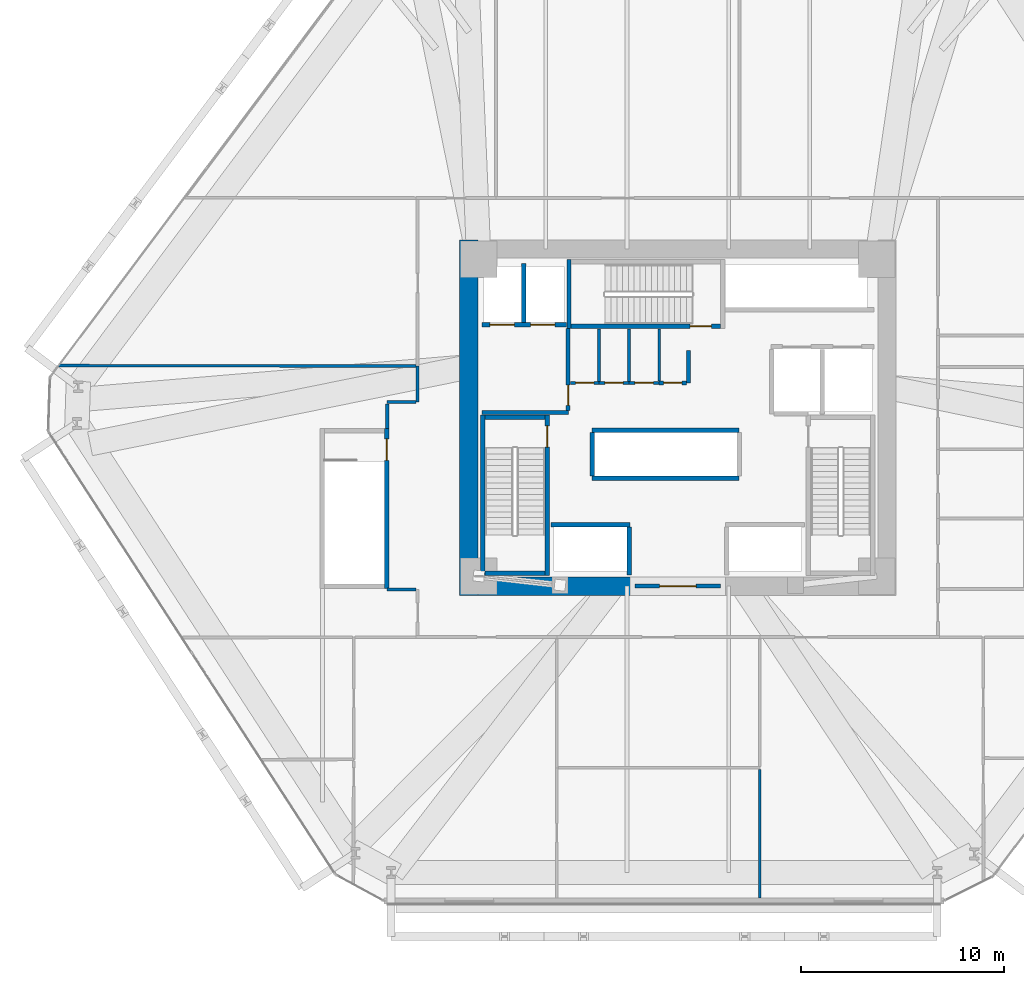
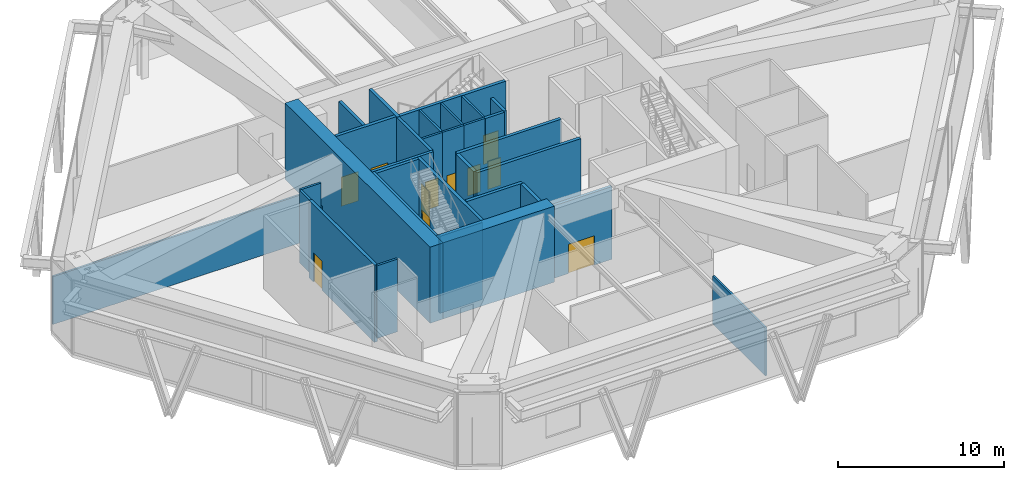
# One storey, part 14 of 19: 33 walls, 11 doors, 11 openings.
"""IFC4 building model written with IfcOpenShell, lengths in metres."""

from ifc_helpers import new_model, si_unit, direction, frame, frame_2d, origin, place, context, subcontext, project, spatial, rectangle, extrude, source, transform, mapped, material, layer, layer_set, type_object, type_shapes, element, fill, save


model = new_model("IFC4")

# Units and contexts
model_context = context("Model", 3, precision=1e-05, world=origin(), true_north=direction((0.0, 1.0)))
body_context = subcontext(model_context, "Body", "Model", "MODEL_VIEW")
ifc_project = project(units=[si_unit("LENGTHUNIT", "METRE"), si_unit("AREAUNIT", "SQUARE_METRE"), si_unit("VOLUMEUNIT", "CUBIC_METRE"), si_unit("PLANEANGLEUNIT", "RADIAN"), si_unit("MASSUNIT", "GRAM", prefix="KILO")], contexts=[model_context])

# Site, building, storey
site_placement = place(None, origin())
site = spatial("IfcSite", under=ifc_project, at=site_placement, CompositionType="ELEMENT")
building_placement = place(site_placement, origin())
building = spatial("IfcBuilding", under=site, at=building_placement, Name="Durnholm Broadcast Tower", CompositionType="ELEMENT")
storey_placement = place(building_placement, frame((0.0, 0.0, 26.800048828125)))
storey = spatial("IfcBuildingStorey", under=building, at=storey_placement, Name="L05", CompositionType="ELEMENT", Elevation=26.800048828125)

# Walls
ifc_material_1 = material(Name="Concrete C70/85", Category="concrete")
ifc_layer_1 = layer(ifc_material_1, 0.89990234375)
ifc_layer_set_1 = layer_set([ifc_layer_1], Name="Concrete C70/85")
wall_type_1 = type_object("IfcWallType", Name="WALL-CW-900", PredefinedType="SHEAR", material=ifc_layer_set_1)
wall_1_placement = place(storey_placement, frame((-10.300048828125, -8.75, 0.0), z_axis=(0.0, 0.0, 1.0), x_axis=(0.0, 1.0, 0.0)))
element("IfcWall", 1, at=wall_1_placement, inside=storey, type_object=wall_type_1, Name="L05 central core shear wall CW-WEST", PredefinedType="SHEAR", context=body_context, shape_type="SweptSolid", body=[
    extrude(rectangle(XDim=17.5, YDim=0.89990234375, at=frame_2d((8.75, 0.0))), origin(), (0.0, 0.0, 1.0), 5.599853515625),
])
wall_2_placement = place(storey_placement, frame((-9.85009765625, -8.300048828125, 0.0), z_axis=(0.0, 0.0, 1.0), x_axis=(1.0, 0.0, 0.0)))
element("IfcWall", 2, at=wall_2_placement, inside=storey, type_object=wall_type_1, Name="L05 central core shear wall CW-S1", PredefinedType="SHEAR", context=body_context, shape_type="SweptSolid", body=[
    extrude(rectangle(XDim=7.75, YDim=0.89990234375, at=frame_2d((3.875, 0.0))), origin(), (0.0, 0.0, 1.0), 5.599853515625),
])

# Wall, opening, door
ifc_material_2 = material(Name="Fire-Rated Gypsum Shaftwall", Category="concrete")
ifc_layer_2 = layer(ifc_material_2, 0.199951171875)
ifc_layer_set_2 = layer_set([ifc_layer_2], Name="Fire-Rated Gypsum Shaftwall")
wall_type_2 = type_object("IfcWallType", Name="WALL-LOB-200", PredefinedType="SOLIDWALL", material=ifc_layer_set_2)
wall_3_placement = place(storey_placement, frame((-2.10009765625, -8.300048828125, 0.0), z_axis=(0.0, 0.0, 1.0), x_axis=(1.0, 0.0, 0.0)))
wall_3 = element("IfcWall", 3, at=wall_3_placement, inside=storey, type_object=wall_type_2, Name="L05 south core lobby fire screen", PredefinedType="SOLIDWALL", context=body_context, shape_type="SweptSolid", body=[
    extrude(rectangle(XDim=4.2001953125, YDim=0.199951171875, at=frame_2d((2.10009765625, 0.0))), origin(), (0.0, 0.0, 1.0), 5.344970703125),
])
opening_1_placement = place(wall_3_placement, frame((1.199951171875, 0.0, 0.0)))
opening_1 = element("IfcOpeningElement", 4, at=opening_1_placement, cuts=wall_3, Name="Opening DP-60", PredefinedType="OPENING", context=body_context, shape_type="SweptSolid", body=[
    extrude(rectangle(XDim=1.800048828125, YDim=2.14990234375, at=frame_2d((0.89990234375, 1.074951171875))), frame((0.0, 0.10986328125, 0.0), z_axis=(0.0, -1.0, 0.0), x_axis=(1.0, 0.0, 0.0)), (0.0, 0.0, 1.0), 0.219970703125),
])
ifc_material_3 = material(Name="Fire-Rated Double Corridor Door", Category="steel")
ifc_layer_3 = layer(ifc_material_3, 0.050048828125)
ifc_layer_set_3 = layer_set([ifc_layer_3], Name="Fire-Rated Double Corridor Door")
door_type_1 = type_object("IfcDoorType", Name="DOOR-PAIR-FD60", OperationType="DOUBLE_DOOR_SINGLE_SWING", PredefinedType="DOOR", material=ifc_layer_set_3)
shared_shape_1 = source(origin(), body_context, "Body", "SweptSolid", [
    extrude(rectangle(XDim=1.800048828125, YDim=2.14990234375, at=frame_2d((0.89990234375, 1.074951171875))), frame((0.0, 0.02490234375, 0.0), z_axis=(0.0, -1.0, 0.0), x_axis=(1.0, 0.0, 0.0)), (0.0, 0.0, 1.0), 0.050048828125),
])
type_shapes(door_type_1, [shared_shape_1])
door_1_placement = place(opening_1_placement, origin())
door_1 = element("IfcDoor", 5, at=door_1_placement, inside=storey, type_object=door_type_1, Name="L05 south core lobby double fire door", OperationType="DOUBLE_DOOR_SINGLE_SWING", OverallHeight=2.14990234375, OverallWidth=1.800048828125, PredefinedType="DOOR", context=body_context, shape_type="MappedRepresentation", body=[
    mapped(shared_shape_1, transform((0.0, 0.0, 0.0), x_axis=(1.0, 0.0, 0.0), y_axis=(0.0, 1.0, 0.0), z_axis=(0.0, 0.0, 1.0), scale=1.0)),
])
fill(opening_1, door_1)

# Wall
wall_4_placement = place(storey_placement, frame((-9.64990234375, 0.25, 0.0), z_axis=(0.0, 0.0, 1.0), x_axis=(1.0, 0.0, 0.0)))
element("IfcWall", 6, at=wall_4_placement, inside=storey, type_object=wall_type_2, Name="L05 Fire Service Access Elevator lobby south wall", PredefinedType="SOLIDWALL", context=body_context, shape_type="SweptSolid", body=[
    extrude(rectangle(XDim=4.27001953125, YDim=0.199951171875, at=frame_2d((2.135009765625, 0.0))), origin(), (0.0, 0.0, 1.0), 5.344970703125),
])

# Wall, opening, door
wall_5_placement = place(storey_placement, frame((-5.39990234375, 0.35400390625, 0.0), z_axis=(0.0, 0.0, 1.0), x_axis=(0.0, 1.0, 0.0)))
wall_5 = element("IfcWall", 7, at=wall_5_placement, inside=storey, type_object=wall_type_2, Name="L05 Fire Service Access Elevator lobby east fire wall", PredefinedType="SOLIDWALL", context=body_context, shape_type="SweptSolid", body=[
    extrude(rectangle(XDim=4.02587890625, YDim=0.199951171875, at=frame_2d((2.012939453125, 0.0))), origin(), (0.0, 0.0, 1.0), 5.344970703125),
])
opening_2_placement = place(wall_5_placement, frame((0.24609375, 0.0, 0.0)))
opening_2 = element("IfcOpeningElement", 8, at=opening_2_placement, cuts=wall_5, Name="Opening DL-60R", PredefinedType="OPENING", context=body_context, shape_type="SweptSolid", body=[
    extrude(rectangle(XDim=1.0, YDim=2.14990234375, at=frame_2d((0.5, 1.074951171875))), frame((0.0, 0.10986328125, 0.0), z_axis=(0.0, -1.0, 0.0), x_axis=(1.0, 0.0, 0.0)), (0.0, 0.0, 1.0), 0.219970703125),
])
ifc_material_4 = material(Name="Fire-Rated Timber/Steel Door", Category="steel")
ifc_layer_4 = layer(ifc_material_4, 0.050048828125)
ifc_layer_set_4 = layer_set([ifc_layer_4], Name="Fire-Rated Timber/Steel Door")
door_type_2 = type_object("IfcDoorType", Name="DOOR-LOB-FD60-R", OperationType="NOTDEFINED", PredefinedType="DOOR", material=ifc_layer_set_4)
shared_shape_2 = source(origin(), body_context, "Body", "SweptSolid", [
    extrude(rectangle(XDim=1.0, YDim=2.14990234375, at=frame_2d((0.5, 1.074951171875))), frame((0.0, 0.02490234375, 0.0), z_axis=(0.0, -1.0, 0.0), x_axis=(1.0, 0.0, 0.0)), (0.0, 0.0, 1.0), 0.050048828125),
])
type_shapes(door_type_2, [shared_shape_2])
door_2_placement = place(opening_2_placement, origin())
door_2 = element("IfcDoor", 9, at=door_2_placement, inside=storey, type_object=door_type_2, Name="L05 Fire Service Access Elevator lobby smoke door", OperationType="SINGLE_SWING_RIGHT", OverallHeight=2.14990234375, OverallWidth=1.0, PredefinedType="DOOR", context=body_context, shape_type="MappedRepresentation", body=[
    mapped(shared_shape_2, transform((0.0, 0.0, 0.0), x_axis=(1.0, 0.0, 0.0), y_axis=(0.0, 1.0, 0.0), z_axis=(0.0, 0.0, 1.0), scale=1.0)),
])
fill(opening_2, door_2)

# Wall
wall_6_placement = place(storey_placement, frame((0.52001953125, 3.300048828125, 0.0), z_axis=(0.0, 0.0, 1.0), x_axis=(0.0, -1.0, 0.0)))
element("IfcWall", 10, at=wall_6_placement, inside=storey, type_object=wall_type_2, Name="L05 Core Signal Sync Room corridor partition", PredefinedType="SOLIDWALL", context=body_context, shape_type="SweptSolid", body=[
    extrude(rectangle(XDim=1.590087890625, YDim=0.199951171875, at=frame_2d((0.794921875, 0.0))), origin(), (0.0, 0.0, 1.0), 5.344970703125),
])

# Wall, opening, door
wall_7_placement = place(storey_placement, frame((0.416015625, 1.7099609375, 0.0), z_axis=(0.0, 0.0, 1.0), x_axis=(-1.0, 0.0, 0.0)))
wall_7 = element("IfcWall", 11, at=wall_7_placement, inside=storey, type_object=wall_type_2, Name="L05 Core Signal Sync Room corridor partition", PredefinedType="SOLIDWALL", context=body_context, shape_type="SweptSolid", body=[
    extrude(rectangle(XDim=1.3359375, YDim=0.199951171875, at=frame_2d((0.66796875, 0.0))), origin(), (0.0, 0.0, 1.0), 5.344970703125),
])
opening_3_placement = place(wall_7_placement, frame((0.218017578125, 0.0, 0.0)))
opening_3 = element("IfcOpeningElement", 12, at=opening_3_placement, cuts=wall_7, Name="Opening DC-60R", PredefinedType="OPENING", context=body_context, shape_type="SweptSolid", body=[
    extrude(rectangle(XDim=0.89990234375, YDim=2.050048828125, at=frame_2d((0.449951171875, 1.02490234375))), frame((0.0, 0.10986328125, 0.0), z_axis=(0.0, -1.0, 0.0), x_axis=(1.0, 0.0, 0.0)), (0.0, 0.0, 1.0), 0.219970703125),
])
ifc_material_5 = material(Name="Fire-Rated Core Service Door", Category="steel")
ifc_layer_5 = layer(ifc_material_5, 0.050048828125)
ifc_layer_set_5 = layer_set([ifc_layer_5], Name="Fire-Rated Core Service Door")
door_type_3 = type_object("IfcDoorType", Name="DOOR-CORE-FD60-R", OperationType="NOTDEFINED", PredefinedType="DOOR", material=ifc_layer_set_5)
shared_shape_3 = source(origin(), body_context, "Body", "SweptSolid", [
    extrude(rectangle(XDim=0.89990234375, YDim=2.050048828125, at=frame_2d((0.449951171875, 1.02490234375))), frame((0.0, 0.02490234375, 0.0), z_axis=(0.0, -1.0, 0.0), x_axis=(1.0, 0.0, 0.0)), (0.0, 0.0, 1.0), 0.050048828125),
])
type_shapes(door_type_3, [shared_shape_3])
door_3_placement = place(opening_3_placement, origin())
door_3 = element("IfcDoor", 13, at=door_3_placement, inside=storey, type_object=door_type_3, Name="L05 Core Signal Sync Room entrance door", OperationType="SINGLE_SWING_RIGHT", OverallHeight=2.050048828125, OverallWidth=0.89990234375, PredefinedType="DOOR", context=body_context, shape_type="MappedRepresentation", body=[
    mapped(shared_shape_3, transform((0.0, 0.0, 0.0), x_axis=(1.0, 0.0, 0.0), y_axis=(0.0, 1.0, 0.0), z_axis=(0.0, 0.0, 1.0), scale=1.0)),
])
fill(opening_3, door_3)

# Walls
ifc_material_6 = material(Name="Gypsum Metal Stud Partition", Category="concrete")
ifc_layer_6 = layer(ifc_material_6, 0.135009765625)
ifc_layer_set_6 = layer_set([ifc_layer_6], Name="Gypsum Metal Stud Partition")
wall_type_3 = type_object("IfcWallType", Name="WALL-PART-135", PredefinedType="PARTITIONING", material=ifc_layer_set_6)
for number, where, z_axis, x_axis, name in (
    (14, (-3.8798828125, 4.375, 0.0), (0.0, 0.0, 1.0), (0.0, -1.0, 0.0), "L05 room dividing partition 1.2"),
    (15, (-2.39990234375, 4.375, 0.0), (0.0, 0.0, 1.0), (0.0, -1.0, 0.0), "L05 room dividing partition 2.3"),
):
    element("IfcWall", number, at=place(storey_placement, frame(where, z_axis=z_axis, x_axis=x_axis)), inside=storey, type_object=wall_type_3, Name=name, PredefinedType="PARTITIONING", context=body_context, shape_type="SweptSolid", body=[
        extrude(rectangle(XDim=2.5859375, YDim=0.135009765625, at=frame_2d((1.29296875, 0.0))), origin(), (0.0, 0.0, 1.0), 5.344970703125),
    ])
wall_8_placement = place(storey_placement, frame((-0.919921875, 4.375, 0.0), z_axis=(0.0, 0.0, 1.0), x_axis=(0.0, -1.0, 0.0)))
element("IfcWall", 16, at=wall_8_placement, inside=storey, type_object=wall_type_3, Name="L05 room dividing partition 3.4", PredefinedType="PARTITIONING", context=body_context, shape_type="SweptSolid", body=[
    extrude(rectangle(XDim=2.56103515625, YDim=0.135009765625, at=frame_2d((1.280517578125, 0.0))), origin(), (0.0, 0.0, 1.0), 5.344970703125),
])
wall_9_placement = place(storey_placement, frame((4.0400390625, -17.31640625, 0.0), z_axis=(0.0, 0.0, 1.0), x_axis=(0.0, -1.0, 0.0)))
element("IfcWall", 17, at=wall_9_placement, inside=storey, type_object=wall_type_3, Name="L05 room dividing partition 14.16", PredefinedType="PARTITIONING", context=body_context, shape_type="SweptSolid", body=[
    extrude(rectangle(XDim=6.32861328125, YDim=0.135009765625, at=frame_2d((3.164306640625, 0.0))), origin(), (0.0, 0.0, 1.0), 3.530029296875),
])
wall_10_placement = place(storey_placement, frame((-30.504638671875, 2.56396484375, 0.0), z_axis=(0.0, 0.0, 1.0), x_axis=(0.999999077639, -0.001358204807, 0.0)))
element("IfcWall", 18, at=wall_10_placement, inside=storey, type_object=wall_type_3, Name="L05 room dividing partition 19.20", PredefinedType="PARTITIONING", context=body_context, shape_type="SweptSolid", body=[
    extrude(rectangle(XDim=17.61572265625, YDim=0.135009765625, at=frame_2d((8.807861328125, 0.0))), origin(), (0.0, 0.0, 1.0), 3.530029296875),
])

# Wall, opening, door
ifc_material_7 = material(Name="Acoustic Gypsum Stud Partition", Category="concrete")
ifc_layer_7 = layer(ifc_material_7, 0.14990234375)
ifc_layer_set_7 = layer_set([ifc_layer_7], Name="Acoustic Gypsum Stud Partition")
wall_type_4 = type_object("IfcWallType", Name="WALL-PART-150", PredefinedType="PARTITIONING", material=ifc_layer_set_7)
wall_11_placement = place(storey_placement, frame((-3.8798828125, 1.7099609375, 0.0), z_axis=(0.0, 0.0, 1.0), x_axis=(-1.0, 0.0, 0.0)))
wall_11 = element("IfcWall", 19, at=wall_11_placement, inside=storey, type_object=wall_type_4, Name="L05 Core First Aid Store corridor partition", PredefinedType="PARTITIONING", context=body_context, shape_type="SweptSolid", body=[
    extrude(rectangle(XDim=1.416015625, YDim=0.14990234375, at=frame_2d((0.7080078125, 0.0))), origin(), (0.0, 0.0, 1.0), 5.344970703125),
])
opening_4_placement = place(wall_11_placement, frame((0.258056640625, 0.0, 0.0)))
opening_4 = element("IfcOpeningElement", 20, at=opening_4_placement, cuts=wall_11, Name="Opening DC-60L", PredefinedType="OPENING", context=body_context, shape_type="SweptSolid", body=[
    extrude(rectangle(XDim=0.89990234375, YDim=2.050048828125, at=frame_2d((0.449951171875, 1.02490234375))), frame((0.0, 0.0849609375, 0.0), z_axis=(0.0, -1.0, 0.0), x_axis=(1.0, 0.0, 0.0)), (0.0, 0.0, 1.0), 0.169921875),
])
ifc_layer_8 = layer(ifc_material_5, 0.050048828125)
ifc_layer_set_8 = layer_set([ifc_layer_8], Name="Fire-Rated Core Service Door")
door_type_4 = type_object("IfcDoorType", Name="DOOR-CORE-FD60-L", OperationType="NOTDEFINED", PredefinedType="DOOR", material=ifc_layer_set_8)
shared_shape_4 = source(origin(), body_context, "Body", "SweptSolid", [
    extrude(rectangle(XDim=0.89990234375, YDim=2.050048828125, at=frame_2d((0.449951171875, 1.02490234375))), frame((0.0, 0.02490234375, 0.0), z_axis=(0.0, -1.0, 0.0), x_axis=(1.0, 0.0, 0.0)), (0.0, 0.0, 1.0), 0.050048828125),
])
type_shapes(door_type_4, [shared_shape_4])
door_4_placement = place(opening_4_placement, origin())
door_4 = element("IfcDoor", 21, at=door_4_placement, inside=storey, type_object=door_type_4, Name="L05 Core First Aid Store entrance door", OperationType="SINGLE_SWING_LEFT", OverallHeight=2.050048828125, OverallWidth=0.89990234375, PredefinedType="DOOR", context=body_context, shape_type="MappedRepresentation", body=[
    mapped(shared_shape_4, transform((0.0, 0.0, 0.0), x_axis=(1.0, 0.0, 0.0), y_axis=(0.0, 1.0, 0.0), z_axis=(0.0, 0.0, 1.0), scale=1.0)),
])
fill(opening_4, door_4)

wall_12_placement = place(storey_placement, frame((-2.39990234375, 1.7099609375, 0.0), z_axis=(0.0, 0.0, 1.0), x_axis=(-1.0, 0.0, 0.0)))
wall_12 = element("IfcWall", 22, at=wall_12_placement, inside=storey, type_object=wall_type_4, Name="L05 Core Linen Supply Closet corridor partition", PredefinedType="PARTITIONING", context=body_context, shape_type="SweptSolid", body=[
    extrude(rectangle(XDim=1.47998046875, YDim=0.14990234375, at=frame_2d((0.739990234375, 0.0))), origin(), (0.0, 0.0, 1.0), 5.344970703125),
])
opening_5_placement = place(wall_12_placement, frame((0.2900390625, 0.0, 0.0)))
opening_5 = element("IfcOpeningElement", 23, at=opening_5_placement, cuts=wall_12, Name="Opening DC-60R", PredefinedType="OPENING", context=body_context, shape_type="SweptSolid", body=[
    extrude(rectangle(XDim=0.89990234375, YDim=2.050048828125, at=frame_2d((0.449951171875, 1.02490234375))), frame((0.0, 0.0849609375, 0.0), z_axis=(0.0, -1.0, 0.0), x_axis=(1.0, 0.0, 0.0)), (0.0, 0.0, 1.0), 0.169921875),
])
door_5_placement = place(opening_5_placement, origin())
door_5 = element("IfcDoor", 24, at=door_5_placement, inside=storey, type_object=door_type_3, Name="L05 Core Linen Supply Closet entrance door", OperationType="SINGLE_SWING_RIGHT", OverallHeight=2.050048828125, OverallWidth=0.89990234375, PredefinedType="DOOR", context=body_context, shape_type="MappedRepresentation", body=[
    mapped(shared_shape_3, transform((0.0, 0.0, 0.0), x_axis=(1.0, 0.0, 0.0), y_axis=(0.0, 1.0, 0.0), z_axis=(0.0, 0.0, 1.0), scale=1.0)),
])
fill(opening_5, door_5)

wall_13_placement = place(storey_placement, frame((-0.919921875, 1.7099609375, 0.0), z_axis=(0.0, 0.0, 1.0), x_axis=(-1.0, 0.0, 0.0)))
wall_13 = element("IfcWall", 25, at=wall_13_placement, inside=storey, type_object=wall_type_4, Name="L05 Core Safety Gear Store corridor partition", PredefinedType="PARTITIONING", context=body_context, shape_type="SweptSolid", body=[
    extrude(rectangle(XDim=1.47998046875, YDim=0.14990234375, at=frame_2d((0.739990234375, 0.0))), origin(), (0.0, 0.0, 1.0), 5.344970703125),
])
opening_6_placement = place(wall_13_placement, frame((0.2900390625, 0.0, 0.0)))
opening_6 = element("IfcOpeningElement", 26, at=opening_6_placement, cuts=wall_13, Name="Opening DC-60L", PredefinedType="OPENING", context=body_context, shape_type="SweptSolid", body=[
    extrude(rectangle(XDim=0.89990234375, YDim=2.050048828125, at=frame_2d((0.449951171875, 1.02490234375))), frame((0.0, 0.0849609375, 0.0), z_axis=(0.0, -1.0, 0.0), x_axis=(1.0, 0.0, 0.0)), (0.0, 0.0, 1.0), 0.169921875),
])
door_6_placement = place(opening_6_placement, origin())
door_6 = element("IfcDoor", 27, at=door_6_placement, inside=storey, type_object=door_type_4, Name="L05 Core Safety Gear Store entrance door", OperationType="SINGLE_SWING_LEFT", OverallHeight=2.050048828125, OverallWidth=0.89990234375, PredefinedType="DOOR", context=body_context, shape_type="MappedRepresentation", body=[
    mapped(shared_shape_4, transform((0.0, 0.0, 0.0), x_axis=(1.0, 0.0, 0.0), y_axis=(0.0, 1.0, 0.0), z_axis=(0.0, 0.0, 1.0), scale=1.0)),
])
fill(opening_6, door_6)

# Walls
wall_14_placement = place(storey_placement, frame((-12.81005859375, 2.5400390625, 0.0), z_axis=(0.0, 0.0, 1.0), x_axis=(0.0, -1.0, 0.0)))
element("IfcWall", 28, at=wall_14_placement, inside=storey, type_object=wall_type_4, Name="L05 Catering Prep Kitchen corridor partition", PredefinedType="PARTITIONING", context=body_context, shape_type="SweptSolid", body=[
    extrude(rectangle(XDim=1.780029296875, YDim=0.14990234375, at=frame_2d((0.89013671875, 0.0))), origin(), (0.0, 0.0, 1.0), 3.530029296875),
])
for number, where, z_axis, x_axis, name in (
    (29, (-12.888916015625, 0.760009765625, 0.0), (0.0, 0.0, 1.0), (-1.0, 0.0, 0.0), "L05 Catering Prep Kitchen corridor partition"),
    (30, (-14.31005859375, -8.4599609375, 0.0), (0.0, 0.0, 1.0), (1.0, 0.0, 0.0), "L05 Catering Prep Kitchen corridor partition"),
):
    element("IfcWall", number, at=place(storey_placement, frame(where, z_axis=z_axis, x_axis=x_axis)), inside=storey, type_object=wall_type_4, Name=name, PredefinedType="PARTITIONING", context=body_context, shape_type="SweptSolid", body=[
        extrude(rectangle(XDim=1.421142578125, YDim=0.14990234375, at=frame_2d((0.71044921875, 0.0))), origin(), (0.0, 0.0, 1.0), 5.344970703125),
    ])
wall_15_placement = place(storey_placement, frame((-14.31005859375, 0.680908203125, 0.0), z_axis=(0.0, 0.0, 1.0), x_axis=(0.0, -1.0, 0.0)))
element("IfcWall", 31, at=wall_15_placement, inside=storey, type_object=wall_type_4, Name="L05 Catering Prep Kitchen corridor partition", PredefinedType="PARTITIONING", context=body_context, shape_type="SweptSolid", body=[
    extrude(rectangle(XDim=1.2109375, YDim=0.14990234375, at=frame_2d((0.60546875, 0.0))), origin(), (0.0, 0.0, 1.0), 5.344970703125),
])

# Wall, openings, doors
ifc_material_8 = material(Name="Concrete Blockwork C30/37", Category="masonry")
ifc_layer_9 = layer(ifc_material_8, 0.219970703125)
ifc_layer_set_9 = layer_set([ifc_layer_9], Name="Concrete Blockwork C30/37")
wall_type_5 = type_object("IfcWallType", Name="WALL-SHAFT-220", PredefinedType="SOLIDWALL", material=ifc_layer_set_9)
wall_16_placement = place(storey_placement, frame((-9.64990234375, 4.580078125, 0.0), z_axis=(0.0, 0.0, 1.0), x_axis=(1.0, 0.0, 0.0)))
wall_16 = element("IfcWall", 32, at=wall_16_placement, inside=storey, type_object=wall_type_5, Name="L05 FSAE hoistway front fire wall", PredefinedType="SOLIDWALL", context=body_context, shape_type="SweptSolid", body=[
    extrude(rectangle(XDim=4.1748046875, YDim=0.219970703125, at=frame_2d((2.08740234375, 0.0))), origin(), (0.0, 0.0, 1.0), 5.344970703125),
])
opening_7_placement = place(wall_16_placement, frame((0.39990234375, 0.0, 0.0)))
opening_7 = element("IfcOpeningElement", 33, at=opening_7_placement, cuts=wall_16, Name="Opening LD-FSAE-2", PredefinedType="OPENING", context=body_context, shape_type="SweptSolid", body=[
    extrude(rectangle(XDim=1.199951171875, YDim=2.14990234375, at=frame_2d((0.60009765625, 1.074951171875))), frame((0.0, 0.1201171875, 0.0), z_axis=(0.0, -1.0, 0.0), x_axis=(1.0, 0.0, 0.0)), (0.0, 0.0, 1.0), 0.239990234375),
])
opening_8_placement = place(wall_16_placement, frame((2.39990234375, 0.0, 0.0)))
opening_8 = element("IfcOpeningElement", 34, at=opening_8_placement, cuts=wall_16, Name="Opening LD-FSAE-1", PredefinedType="OPENING", context=body_context, shape_type="SweptSolid", body=[
    extrude(rectangle(XDim=1.199951171875, YDim=2.14990234375, at=frame_2d((0.60009765625, 1.074951171875))), frame((0.0, 0.1201171875, 0.0), z_axis=(0.0, -1.0, 0.0), x_axis=(1.0, 0.0, 0.0)), (0.0, 0.0, 1.0), 0.239990234375),
])
ifc_material_9 = material(Name="Fire Service Access Sliding Landing Door", Category="steel")
ifc_layer_10 = layer(ifc_material_9, 0.050048828125)
ifc_layer_set_10 = layer_set([ifc_layer_10], Name="Fire Service Access Sliding Landing Door")
door_type_5 = type_object("IfcDoorType", Name="DOOR-LIFT-FSAE", OperationType="DOUBLE_DOOR_SLIDING", PredefinedType="DOOR", material=ifc_layer_set_10)
shared_shape_5 = source(origin(), body_context, "Body", "SweptSolid", [
    extrude(rectangle(XDim=1.199951171875, YDim=2.14990234375, at=frame_2d((0.60009765625, 1.074951171875))), frame((0.0, 0.02490234375, 0.0), z_axis=(0.0, -1.0, 0.0), x_axis=(1.0, 0.0, 0.0)), (0.0, 0.0, 1.0), 0.050048828125),
])
type_shapes(door_type_5, [shared_shape_5])
door_7_placement = place(opening_7_placement, origin())
door_7 = element("IfcDoor", 35, at=door_7_placement, inside=storey, type_object=door_type_5, Name="L05 Fire Service Access Elevator FSAE-2 sliding landing door", OperationType="DOUBLE_DOOR_SLIDING", OverallHeight=2.14990234375, OverallWidth=1.199951171875, PredefinedType="DOOR", context=body_context, shape_type="MappedRepresentation", body=[
    mapped(shared_shape_5, transform((0.0, 0.0, 0.0), x_axis=(1.0, 0.0, 0.0), y_axis=(0.0, 1.0, 0.0), z_axis=(0.0, 0.0, 1.0), scale=1.0)),
])
fill(opening_7, door_7)
door_8_placement = place(opening_8_placement, origin())
door_8 = element("IfcDoor", 36, at=door_8_placement, inside=storey, type_object=door_type_5, Name="L05 Fire Service Access Elevator FSAE-1 sliding landing door", OperationType="DOUBLE_DOOR_SLIDING", OverallHeight=2.14990234375, OverallWidth=1.199951171875, PredefinedType="DOOR", context=body_context, shape_type="MappedRepresentation", body=[
    mapped(shared_shape_5, transform((0.0, 0.0, 0.0), x_axis=(1.0, 0.0, 0.0), y_axis=(0.0, 1.0, 0.0), z_axis=(0.0, 0.0, 1.0), scale=1.0)),
])
fill(opening_8, door_8)

# Walls
wall_17_placement = place(storey_placement, frame((-7.580078125, 4.694091796875, 0.0), z_axis=(0.0, 0.0, 1.0), x_axis=(0.0, 1.0, 0.0)))
element("IfcWall", 37, at=wall_17_placement, inside=storey, type_object=wall_type_5, Name="L05 FSAE shaft divider wall", PredefinedType="SOLIDWALL", context=body_context, shape_type="SweptSolid", body=[
    extrude(rectangle(XDim=2.906005859375, YDim=0.219970703125, at=frame_2d((1.453125, 0.0))), origin(), (0.0, 0.0, 1.0), 5.344970703125),
])
wall_18_placement = place(storey_placement, frame((-6.25, -5.280029296875, 0.0), z_axis=(0.0, 0.0, 1.0), x_axis=(1.0, 0.0, 0.0)))
element("IfcWall", 38, at=wall_18_placement, inside=storey, type_object=wall_type_5, Name="L05 low-rise bank P1 west front wall", PredefinedType="SOLIDWALL", context=body_context, shape_type="SweptSolid", body=[
    extrude(rectangle(XDim=3.89990234375, YDim=0.219970703125, at=frame_2d((1.949951171875, 0.0))), origin(), (0.0, 0.0, 1.0), 5.344970703125),
])
wall_19_placement = place(storey_placement, frame((-2.39990234375, -7.75, 0.0), z_axis=(0.0, 0.0, 1.0), x_axis=(0.0, 1.0, 0.0)))
element("IfcWall", 39, at=wall_19_placement, inside=storey, type_object=wall_type_5, Name="L05 low-rise bank P1 west mouth wall", PredefinedType="SOLIDWALL", context=body_context, shape_type="SweptSolid", body=[
    extrude(rectangle(XDim=2.35595703125, YDim=0.219970703125, at=frame_2d((1.177978515625, 0.0))), origin(), (0.0, 0.0, 1.0), 5.344970703125),
])
for number, where, z_axis, x_axis, name in (
    (40, (-4.219970703125, -2.97998046875, 0.0), (0.0, 0.0, 1.0), (1.0, 0.0, 0.0), "L05 mid-rise bank P2 south front wall"),
    (41, (-4.219970703125, -0.6201171875, 0.0), (0.0, 0.0, 1.0), (1.0, 0.0, 0.0), "L05 mid-rise bank P2 north shaft wall"),
):
    element("IfcWall", number, at=place(storey_placement, frame(where, z_axis=z_axis, x_axis=x_axis)), inside=storey, type_object=wall_type_5, Name=name, PredefinedType="SOLIDWALL", context=body_context, shape_type="SweptSolid", body=[
        extrude(rectangle(XDim=7.239990234375, YDim=0.219970703125, at=frame_2d((3.6201171875, 0.0))), origin(), (0.0, 0.0, 1.0), 5.344970703125),
    ])
wall_20_placement = place(storey_placement, frame((-4.219970703125, -2.865966796875, 0.0), z_axis=(0.0, 0.0, 1.0), x_axis=(0.0, 1.0, 0.0)))
element("IfcWall", 42, at=wall_20_placement, inside=storey, type_object=wall_type_5, Name="L05 mid-rise bank P2 west shaft wall", PredefinedType="SOLIDWALL", context=body_context, shape_type="SweptSolid", body=[
    extrude(rectangle(XDim=2.132080078125, YDim=0.219970703125, at=frame_2d((1.06591796875, 0.0))), origin(), (0.0, 0.0, 1.0), 5.344970703125),
])

# Wall, opening, door
ifc_material_10 = material(Name="Concrete C50/60", Category="concrete")
ifc_layer_11 = layer(ifc_material_10, 0.219970703125)
ifc_layer_set_11 = layer_set([ifc_layer_11], Name="Concrete C50/60")
wall_type_6 = type_object("IfcWallType", Name="WALL-SW-220", PredefinedType="SHEAR", material=ifc_layer_set_11)
wall_21_placement = place(storey_placement, frame((-6.429931640625, -7.77001953125, -0.320068359375), z_axis=(0.0, 0.0, 1.0), x_axis=(0.0, 1.0, 0.0)))
wall_21 = element("IfcWall", 43, at=wall_21_placement, inside=storey, type_object=wall_type_6, Name="L05 stair ST-1 structural shaft wall E", PredefinedType="SHEAR", context=body_context, shape_type="SweptSolid", body=[
    extrude(rectangle(XDim=7.89013671875, YDim=0.219970703125, at=frame_2d((3.945068359375, 0.0))), origin(), (0.0, 0.0, 1.0), 5.679931640625),
])
opening_9_placement = place(wall_21_placement, frame((6.320068359375, 0.0, 0.0)))
opening_9 = element("IfcOpeningElement", 44, at=opening_9_placement, cuts=wall_21, Name="Opening DS-90L", PredefinedType="OPENING", context=body_context, shape_type="SweptSolid", body=[
    extrude(rectangle(XDim=1.050048828125, YDim=2.14990234375, at=frame_2d((0.52490234375, 1.074951171875))), frame((0.0, 0.1201171875, 0.0), z_axis=(0.0, -1.0, 0.0), x_axis=(1.0, 0.0, 0.0)), (0.0, 0.0, 1.0), 0.239990234375),
])
ifc_material_11 = material(Name="Fire-Rated Steel Door", Category="steel")
ifc_layer_12 = layer(ifc_material_11, 0.050048828125)
ifc_layer_set_12 = layer_set([ifc_layer_12], Name="Fire-Rated Steel Door")
door_type_6 = type_object("IfcDoorType", Name="DOOR-ST-FD90-L", OperationType="NOTDEFINED", PredefinedType="DOOR", material=ifc_layer_set_12)
shared_shape_6 = source(origin(), body_context, "Body", "SweptSolid", [
    extrude(rectangle(XDim=1.050048828125, YDim=2.14990234375, at=frame_2d((0.52490234375, 1.074951171875))), frame((0.0, 0.02490234375, 0.0), z_axis=(0.0, -1.0, 0.0), x_axis=(1.0, 0.0, 0.0)), (0.0, 0.0, 1.0), 0.050048828125),
])
type_shapes(door_type_6, [shared_shape_6])
door_9_placement = place(opening_9_placement, origin())
door_9 = element("IfcDoor", 45, at=door_9_placement, inside=storey, type_object=door_type_6, Name="L05 exit stair ST-1 fire door", OperationType="SINGLE_SWING_LEFT", OverallHeight=2.14990234375, OverallWidth=1.050048828125, PredefinedType="DOOR", context=body_context, shape_type="MappedRepresentation", body=[
    mapped(shared_shape_6, transform((0.0, 0.0, 0.0), x_axis=(1.0, 0.0, 0.0), y_axis=(0.0, 1.0, 0.0), z_axis=(0.0, 0.0, 1.0), scale=1.0)),
])
fill(opening_9, door_9)

# Walls
wall_22_placement = place(storey_placement, frame((-9.610107421875, 0.1201171875, -0.320068359375), z_axis=(0.0, 0.0, 1.0), x_axis=(0.0, -1.0, 0.0)))
element("IfcWall", 46, at=wall_22_placement, inside=storey, type_object=wall_type_6, Name="L05 stair ST-1 structural shaft wall W", PredefinedType="SHEAR", context=body_context, shape_type="SweptSolid", body=[
    extrude(rectangle(XDim=7.89013671875, YDim=0.219970703125, at=frame_2d((3.945068359375, 0.0))), origin(), (0.0, 0.0, 1.0), 5.679931640625),
])
for number, where, z_axis, x_axis, name in (
    (47, (-9.5, -7.659912109375, -0.320068359375), (0.0, 0.0, 1.0), (1.0, 0.0, 0.0), "L05 stair ST-1 structural shaft wall S"),
    (48, (-6.5400390625, 0.010009765625, -0.320068359375), (0.0, 0.0, 1.0), (-1.0, 0.0, 0.0), "L05 stair ST-1 structural shaft wall N"),
):
    element("IfcWall", number, at=place(storey_placement, frame(where, z_axis=z_axis, x_axis=x_axis)), inside=storey, type_object=wall_type_6, Name=name, PredefinedType="SHEAR", context=body_context, shape_type="SweptSolid", body=[
        extrude(rectangle(XDim=2.9599609375, YDim=0.219970703125, at=frame_2d((1.47998046875, 0.0))), origin(), (0.0, 0.0, 1.0), 5.679931640625),
    ])
wall_23_placement = place(storey_placement, frame((-5.360107421875, 7.780029296875, -0.320068359375), z_axis=(0.0, 0.0, 1.0), x_axis=(0.0, -1.0, 0.0)))
element("IfcWall", 49, at=wall_23_placement, inside=storey, type_object=wall_type_6, Name="L05 stair ST-3 structural shaft wall W", PredefinedType="SHEAR", context=body_context, shape_type="SweptSolid", body=[
    extrude(rectangle(XDim=3.400146484375, YDim=0.219970703125, at=frame_2d((1.7001953125, 0.0))), origin(), (0.0, 0.0, 1.0), 5.679931640625),
])

# Wall, opening, door
wall_24_placement = place(storey_placement, frame((-5.25, 4.489990234375, -0.320068359375), z_axis=(0.0, 0.0, 1.0), x_axis=(1.0, 0.0, 0.0)))
wall_24 = element("IfcWall", 50, at=wall_24_placement, inside=storey, type_object=wall_type_6, Name="L05 stair ST-3 structural shaft wall S", PredefinedType="SHEAR", context=body_context, shape_type="SweptSolid", body=[
    extrude(rectangle(XDim=7.35009765625, YDim=0.219970703125, at=frame_2d((3.675048828125, 0.0))), origin(), (0.0, 0.0, 1.0), 5.679931640625),
])
opening_10_placement = place(wall_24_placement, frame((5.85009765625, 0.0, 0.0)))
opening_10 = element("IfcOpeningElement", 51, at=opening_10_placement, cuts=wall_24, Name="Opening DS-90L", PredefinedType="OPENING", context=body_context, shape_type="SweptSolid", body=[
    extrude(rectangle(XDim=1.050048828125, YDim=2.14990234375, at=frame_2d((0.52490234375, 1.074951171875))), frame((0.0, 0.1201171875, 0.0), z_axis=(0.0, -1.0, 0.0), x_axis=(1.0, 0.0, 0.0)), (0.0, 0.0, 1.0), 0.239990234375),
])
door_10_placement = place(opening_10_placement, origin())
door_10 = element("IfcDoor", 52, at=door_10_placement, inside=storey, type_object=door_type_6, Name="L05 exit stair ST-3 fire door", OperationType="SINGLE_SWING_LEFT", OverallHeight=2.14990234375, OverallWidth=1.050048828125, PredefinedType="DOOR", context=body_context, shape_type="MappedRepresentation", body=[
    mapped(shared_shape_6, transform((0.0, 0.0, 0.0), x_axis=(1.0, 0.0, 0.0), y_axis=(0.0, 1.0, 0.0), z_axis=(0.0, 0.0, 1.0), scale=1.0)),
])
fill(opening_10, door_10)

wall_25_placement = place(storey_placement, frame((-14.330078125, -8.419921875, -0.320068359375), z_axis=(0.0, 0.0, 1.0), x_axis=(0.0, 1.0, 0.0)))
wall_25 = element("IfcWall", 53, at=wall_25_placement, inside=storey, type_object=wall_type_6, Name="L05 stair ST-4 structural shaft wall E", PredefinedType="SHEAR", context=body_context, shape_type="SweptSolid", body=[
    extrude(rectangle(XDim=7.889892578125, YDim=0.219970703125, at=frame_2d((3.94482421875, 0.0))), origin(), (0.0, 0.0, 1.0), 5.679931640625),
])
opening_11_placement = place(wall_25_placement, frame((6.320068359375, 0.0, 0.0)))
opening_11 = element("IfcOpeningElement", 54, at=opening_11_placement, cuts=wall_25, Name="Opening DS-90R", PredefinedType="OPENING", context=body_context, shape_type="SweptSolid", body=[
    extrude(rectangle(XDim=1.050048828125, YDim=2.14990234375, at=frame_2d((0.52490234375, 1.074951171875))), frame((0.0, 0.1201171875, 0.0), z_axis=(0.0, -1.0, 0.0), x_axis=(1.0, 0.0, 0.0)), (0.0, 0.0, 1.0), 0.239990234375),
])
ifc_layer_13 = layer(ifc_material_11, 0.050048828125)
ifc_layer_set_13 = layer_set([ifc_layer_13], Name="Fire-Rated Steel Door")
door_type_7 = type_object("IfcDoorType", Name="DOOR-ST-FD90-R", OperationType="NOTDEFINED", PredefinedType="DOOR", material=ifc_layer_set_13)
shared_shape_7 = source(origin(), body_context, "Body", "SweptSolid", [
    extrude(rectangle(XDim=1.050048828125, YDim=2.14990234375, at=frame_2d((0.52490234375, 1.074951171875))), frame((0.0, 0.02490234375, 0.0), z_axis=(0.0, -1.0, 0.0), x_axis=(1.0, 0.0, 0.0)), (0.0, 0.0, 1.0), 0.050048828125),
])
type_shapes(door_type_7, [shared_shape_7])
door_11_placement = place(opening_11_placement, origin())
door_11 = element("IfcDoor", 55, at=door_11_placement, inside=storey, type_object=door_type_7, Name="L05 podium stair ST-4 fire door", OperationType="SINGLE_SWING_RIGHT", OverallHeight=2.14990234375, OverallWidth=1.050048828125, PredefinedType="DOOR", context=body_context, shape_type="MappedRepresentation", body=[
    mapped(shared_shape_7, transform((0.0, 0.0, 0.0), x_axis=(1.0, 0.0, 0.0), y_axis=(0.0, 1.0, 0.0), z_axis=(0.0, 0.0, 1.0), scale=1.0)),
])
fill(opening_11, door_11)

save(model, "model.ifc")
